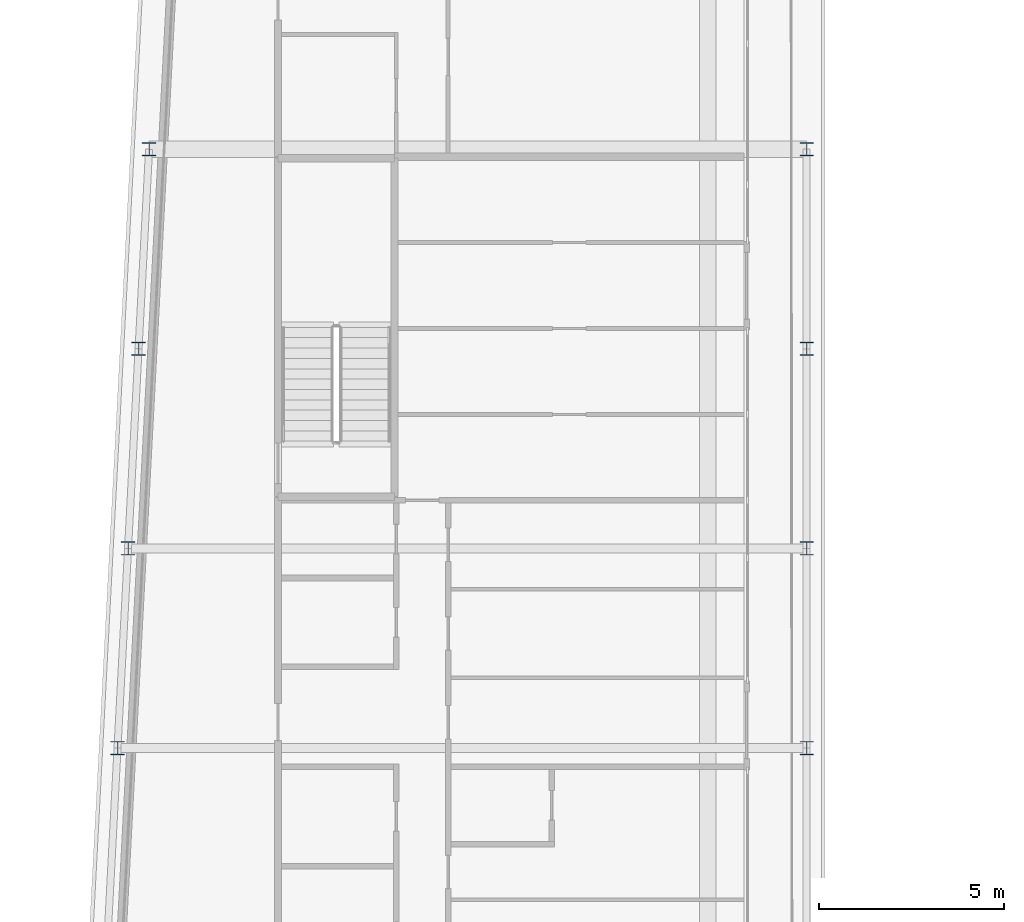
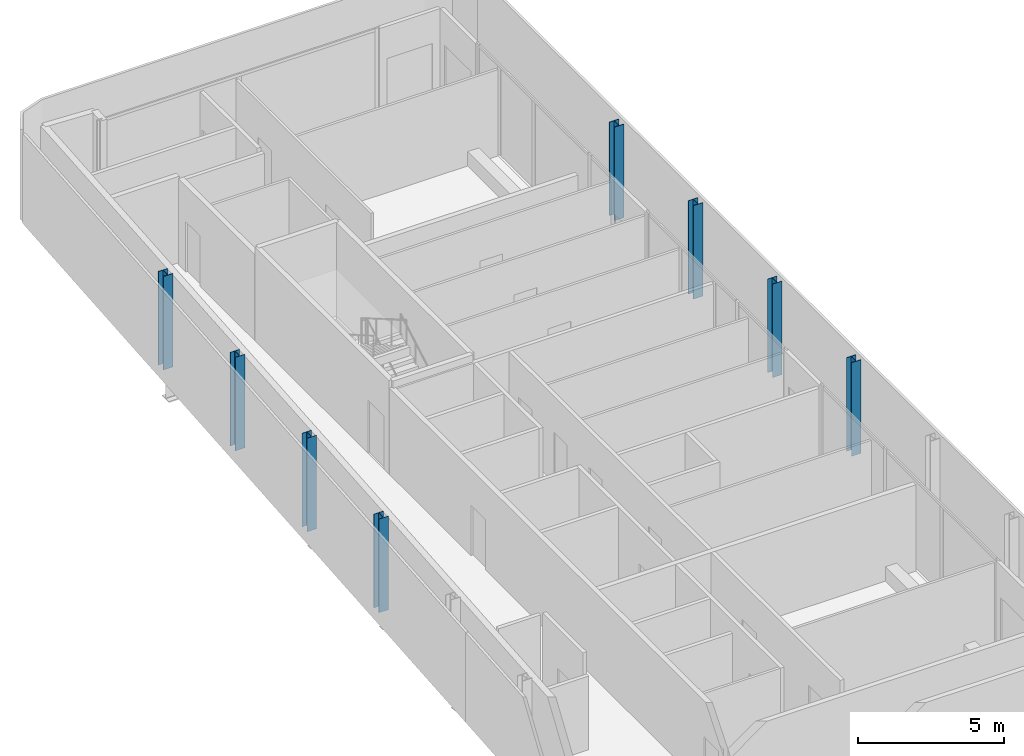
# One storey, part 3 of 18: 8 columns.
"""IFC4 building model written with IfcOpenShell, lengths in metres."""

from ifc_helpers import new_model, si_unit, direction, frame, origin, origin_2d, place, context, subcontext, project, spatial, i_section, extrude, material, material_profile, profile_set, type_object, element, save


model = new_model("IFC4")

# Units and contexts
model_context = context("Model", 3, precision=1e-05, world=origin(), true_north=direction((0.0, 1.0)))
body_context = subcontext(model_context, "Body", "Model", "MODEL_VIEW")
ifc_project = project(units=[si_unit("LENGTHUNIT", "METRE"), si_unit("AREAUNIT", "SQUARE_METRE"), si_unit("VOLUMEUNIT", "CUBIC_METRE"), si_unit("PLANEANGLEUNIT", "RADIAN"), si_unit("MASSUNIT", "GRAM", prefix="KILO")], contexts=[model_context])

# Site, building, storey
site_placement = place(None, origin())
site = spatial("IfcSite", under=ifc_project, at=site_placement, CompositionType="ELEMENT")
building_placement = place(site_placement, origin())
building = spatial("IfcBuilding", under=site, at=building_placement, Name="Kheshtan School and Residences Tower", CompositionType="ELEMENT")
storey_placement = place(building_placement, frame((0.0, 0.0, 365.60009765625)))
storey = spatial("IfcBuildingStorey", under=building, at=storey_placement, Name="L86", CompositionType="ELEMENT", Elevation=365.60009765625)

# Columns
ifc_material = material(Name="Steel ASTM A992 Grade 50", Category="steel")
ifc_material_profile = material_profile(ifc_material, i_section(OverallWidth=0.37109375, OverallDepth=0.364013671875, WebThickness=0.01318359375, FlangeThickness=0.021728515625, FilletRadius=0.010986328125, at=origin_2d()), Name="W360x162")
ifc_profile_set = profile_set([ifc_material_profile], Name="Steel ASTM A992 Grade 50")
column_type = type_object("IfcColumnType", Name="Column C6 W360x162 ASTM A992 Grade 50", PredefinedType="COLUMN", material=ifc_profile_set)
for number, where, z_axis, x_axis, name in (
    (1, (28.9580078125, 72.60009765625, 0.0), (0.0, 0.0, 1.0), (1.0, 0.0, 0.0), "Column C086"),
    (2, (47.60009765625, 72.60009765625, 0.0), (0.0, 0.0, 1.0), (1.0, 0.0, 0.0), "Column C087"),
    (3, (29.242919921875, 78.0, 0.0), (0.0, 0.0, 1.0), (1.0, 0.0, 0.0), "Column C088"),
    (4, (47.60009765625, 78.0, 0.0), (0.0, 0.0, 1.0), (1.0, 0.0, 0.0), "Column C089"),
    (5, (29.527099609375, 83.39990234375, 0.0), (0.0, 0.0, 1.0), (1.0, 0.0, 0.0), "Column C090"),
    (6, (47.60009765625, 83.39990234375, 0.0), (0.0, 0.0, 1.0), (1.0, 0.0, 0.0), "Column C091"),
    (7, (29.81103515625, 88.800048828125, 0.0), (0.0, 0.0, 1.0), (1.0, 0.0, 0.0), "Column C098"),
    (8, (47.60009765625, 88.800048828125, 0.0), (0.0, 0.0, 1.0), (1.0, 0.0, 0.0), "Column C099"),
):
    element("IfcColumn", number, at=place(storey_placement, frame(where, z_axis=z_axis, x_axis=x_axis)), inside=storey, type_object=column_type, Name=name, PredefinedType="COLUMN", context=body_context, shape_type="SweptSolid", body=[
        extrude(i_section(OverallWidth=0.37109375, OverallDepth=0.364013671875, WebThickness=0.01318359375, FlangeThickness=0.021728515625, FilletRadius=0.010986328125, at=origin_2d()), origin(), (0.0, 0.0, 1.0), 3.89990234375),
    ])

save(model, "model.ifc")
